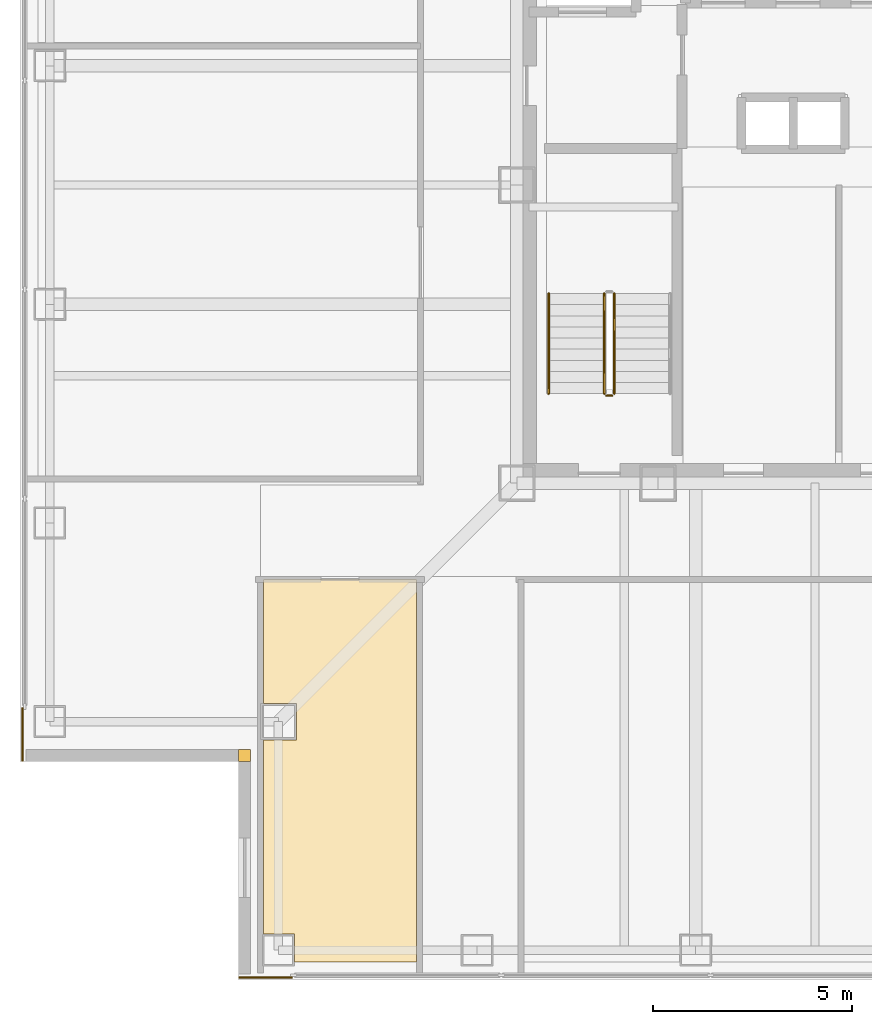
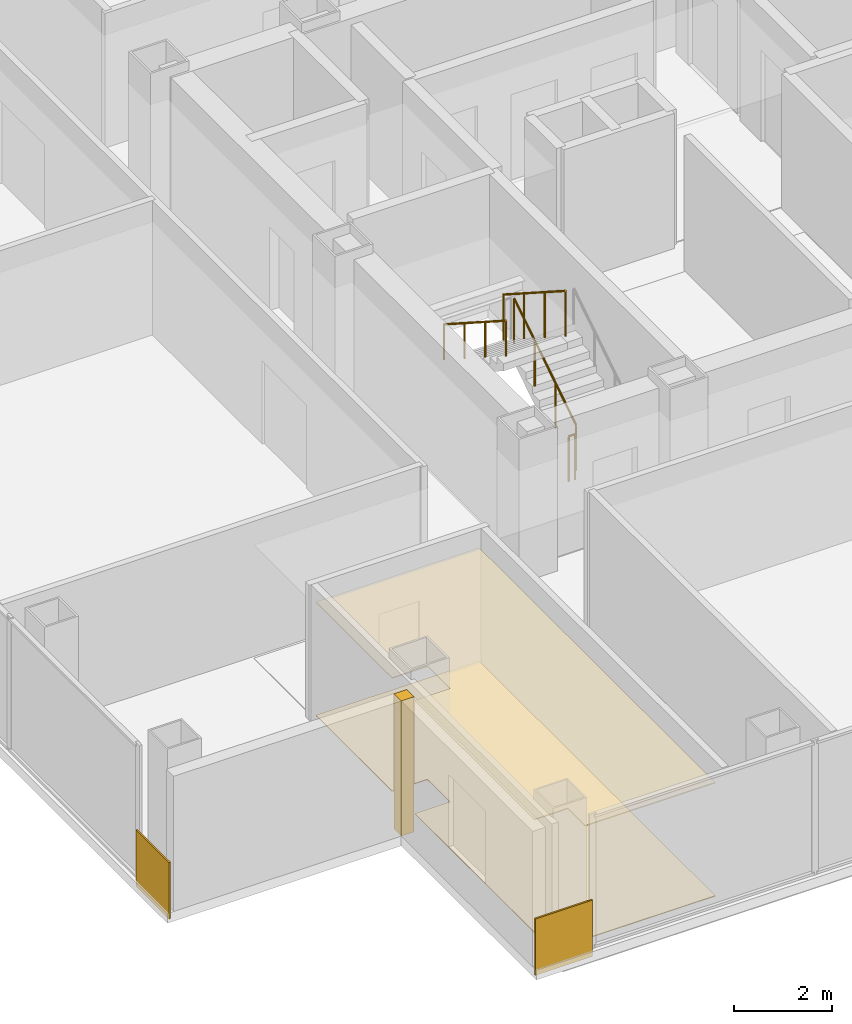
# One storey, part 12 of 17: 5 coverings, 4 railings.
"""IFC4 building model written with IfcOpenShell, lengths in metres."""

from ifc_helpers import new_model, si_unit, direction, frame, frame_2d, origin, origin_2d, place, context, subcontext, project, spatial, polyline, rectangle, circle, outline, extrude, material, layer, layer_set, type_object, element, save


model = new_model("IFC4")

# Units and contexts
model_context = context("Model", 3, precision=1e-05, world=origin(), true_north=direction((0.0, 1.0)))
body_context = subcontext(model_context, "Body", "Model", "MODEL_VIEW")
ifc_project = project(units=[si_unit("LENGTHUNIT", "METRE"), si_unit("AREAUNIT", "SQUARE_METRE"), si_unit("VOLUMEUNIT", "CUBIC_METRE"), si_unit("PLANEANGLEUNIT", "RADIAN"), si_unit("MASSUNIT", "GRAM", prefix="KILO")], contexts=[model_context])

# Site, building, storey
site_placement = place(None, origin())
site = spatial("IfcSite", under=ifc_project, at=site_placement, CompositionType="ELEMENT")
building_placement = place(site_placement, origin())
building = spatial("IfcBuilding", under=site, at=building_placement, Name="Trevonay Congress Spire", CompositionType="ELEMENT")
storey_placement = place(building_placement, frame((0.0, 0.0, 187.800048828125)))
storey = spatial("IfcBuildingStorey", under=building, at=storey_placement, Name="L48", CompositionType="ELEMENT", Elevation=187.800048828125)

# Coverings
ifc_material_1 = material(Name="Acoustic Mineral Fibre Board", Category="gypsum")
ifc_layer_1 = layer(ifc_material_1, 0.02490234375, Name="Acoustic Mineral Fibre Board")
ifc_layer_set_1 = layer_set([ifc_layer_1], Name="Acoustic Mineral Fibre Board")
covering_type_1 = type_object("IfcCoveringType", Name="COV-CEIL-ACOUSTIC", PredefinedType="CEILING", material=ifc_layer_set_1)
covering_1_placement = place(storey_placement, frame((0.0, 0.0, 2.81005859375)))
element("IfcCovering", 1, at=covering_1_placement, inside=storey, type_object=covering_type_1, Name="L48 Tribunal Judges Deliberation Room acoustic suspended ceiling", PredefinedType="CEILING", context=body_context, shape_type="SweptSolid", body=[
    extrude(outline(polyline([(-13.8701171875, -9.929931640625), (-10.030029296875, -9.929931640625), (-10.030029296875, -19.550048828125), (-13.090087890625, -19.550048828125), (-13.090087890625, -18.840087890625), (-13.8701171875, -18.840087890625), (-13.8701171875, -13.9599609375), (-13.0400390625, -13.9599609375), (-13.0400390625, -13.0400390625), (-13.8701171875, -13.0400390625), (-13.8701171875, -9.929931640625)])), origin(), (0.0, 0.0, 1.0), 0.02490234375),
])
ifc_material_2 = material(Name="Engineered Oak Flooring", Category="wood")
ifc_layer_2 = layer(ifc_material_2, 0.01806640625, Name="Engineered Oak Flooring")
ifc_layer_set_2 = layer_set([ifc_layer_2], Name="Engineered Oak Flooring")
covering_type_2 = type_object("IfcCoveringType", Name="COV-FLOOR-TIMBER", PredefinedType="FLOORING", material=ifc_layer_set_2)
covering_2_placement = place(storey_placement, origin())
element("IfcCovering", 2, at=covering_2_placement, inside=storey, type_object=covering_type_2, Name="L48 Tribunal Judges Deliberation Room floor finish", PredefinedType="FLOORING", context=body_context, shape_type="SweptSolid", body=[
    extrude(outline(polyline([(-13.8701171875, -9.929931640625), (-10.030029296875, -9.929931640625), (-10.030029296875, -19.550048828125), (-13.090087890625, -19.550048828125), (-13.090087890625, -18.840087890625), (-13.8701171875, -18.840087890625), (-13.8701171875, -13.9599609375), (-13.0400390625, -13.9599609375), (-13.0400390625, -13.0400390625), (-13.8701171875, -13.0400390625), (-13.8701171875, -9.929931640625)])), origin(), (0.0, 0.0, 1.0), 0.01806640625),
])
ifc_material_3 = material(Name="Pale Anodised Aluminium EN AW-6063-T6", Category="aluminium")
ifc_layer_3 = layer(ifc_material_3, 0.0400390625, Name="Pale Anodised Aluminium EN AW-6063-T6")
ifc_layer_set_3 = layer_set([ifc_layer_3], Name="Pale Anodised Aluminium EN AW-6063-T6")
covering_type_3 = type_object("IfcCoveringType", Name="COV-SPANDREL-PALE-METAL", PredefinedType="CLADDING", material=ifc_layer_set_3)
covering_3_placement = place(storey_placement, origin())
element("IfcCovering", 3, at=covering_3_placement, inside=storey, type_object=covering_type_3, Name="L48 SW re-entrant notch corner closure trim", PredefinedType="CLADDING", context=body_context, shape_type="SweptSolid", body=[
    extrude(outline(polyline([(-14.5, -14.5), (-14.199951171875, -14.5), (-14.199951171875, -14.199951171875), (-14.5, -14.199951171875), (-14.5, -14.5)])), origin(), (0.0, 0.0, 1.0), 3.35986328125),
])
for number, where, z_axis, x_axis, name in (
    (4, (-19.93994140625, -13.14990234375, -0.150146484375), (0.0, 0.0, 1.0), (0.0, -1.0, 0.0), "L48 SW corner pier spandrel cladding 1"),
    (5, (-13.14990234375, -19.93994140625, -0.150146484375), (0.0, 0.0, 1.0), (-1.0, 0.0, 0.0), "L48 SW corner pier spandrel cladding 2"),
):
    element("IfcCovering", number, at=place(storey_placement, frame(where, z_axis=z_axis, x_axis=x_axis)), inside=storey, type_object=covering_type_3, Name=name, PredefinedType="CLADDING", context=body_context, shape_type="SweptSolid", body=[
        extrude(rectangle(XDim=1.35009765625, YDim=0.0400390625, at=frame_2d((0.675048828125, 0.0))), origin(), (0.0, 0.0, 1.0), 1.400146484375),
    ])

# Railings
railing_type_1 = type_object("IfcRailingType", Name="RAL-STAIR-GUARD-110", PredefinedType="GUARDRAIL", material=ifc_material_3)
railing_1_placement = place(storey_placement, frame((-5.050048828125, -5.25, 0.179931640625)))
element("IfcRailing", 6, at=railing_1_placement, inside=storey, type_object=railing_type_1, Name="L48 ST-1 stair guard 1", PredefinedType="GUARDRAIL", context=body_context, shape_type="SweptSolid", body=[
    extrude(circle(Radius=0.02392578125, at=origin_2d()), frame((0.0, 0.0, 1.1259765625), z_axis=(0.0, 0.841162588446, 0.540782303519), x_axis=(-1.0, 0.0, 0.0)), (0.0, 0.0, 1.0), 2.995849609375),
    extrude(circle(Radius=0.02099609375, at=origin_2d()), origin(), (0.0, 0.0, 1.0), 1.101806640625),
    extrude(circle(Radius=0.02099609375, at=origin_2d()), frame((0.0, 0.840087890625, 0.5400390625)), (0.0, 0.0, 1.0), 1.101806640625),
    extrude(circle(Radius=0.02099609375, at=origin_2d()), frame((0.0, 1.679931640625, 1.080078125)), (0.0, 0.0, 1.0), 1.101806640625),
    extrude(circle(Radius=0.02099609375, at=origin_2d()), frame((0.0, 2.52001953125, 1.6201171875)), (0.0, 0.0, 1.0), 1.101806640625),
])
railing_2_placement = place(storey_placement, frame((-5.300048828125, -2.72998046875, 1.97998046875)))
element("IfcRailing", 7, at=railing_2_placement, inside=storey, type_object=railing_type_1, Name="L48 ST-1 stair guard 3", PredefinedType="GUARDRAIL", context=body_context, shape_type="SweptSolid", body=[
    extrude(circle(Radius=0.02392578125, at=origin_2d()), frame((0.0, 0.0, 1.1259765625), z_axis=(0.0, -0.841199657755, 0.540724639528), x_axis=(1.0, 0.0, 0.0)), (0.0, 0.0, 1.0), 2.995849609375),
    extrude(circle(Radius=0.02099609375, at=origin_2d()), origin(), (0.0, 0.0, 1.0), 1.101806640625),
    extrude(circle(Radius=0.02099609375, at=origin_2d()), frame((0.0, -0.840087890625, 0.5400390625)), (0.0, 0.0, 1.0), 1.101806640625),
    extrude(circle(Radius=0.02099609375, at=origin_2d()), frame((0.0, -1.679931640625, 1.079833984375)), (0.0, 0.0, 1.0), 1.101806640625),
    extrude(circle(Radius=0.02099609375, at=origin_2d()), frame((0.0, -2.52001953125, 1.619873046875)), (0.0, 0.0, 1.0), 1.101806640625),
])
railing_3_placement = place(storey_placement, frame((-5.10009765625, -5.300048828125, 0.0)))
element("IfcRailing", 8, at=railing_3_placement, inside=storey, type_object=railing_type_1, Name="L48 ST-1 stair guard 4", PredefinedType="GUARDRAIL", context=body_context, shape_type="SweptSolid", body=[
    extrude(circle(Radius=0.02392578125, at=origin_2d()), frame((0.0, 0.0, 1.1259765625), z_axis=(-1.0, 0.0, 0.0), x_axis=(0.0, -1.0, 0.0)), (0.0, 0.0, 1.0), 0.14990234375),
    extrude(circle(Radius=0.02099609375, at=origin_2d()), origin(), (0.0, 0.0, 1.0), 1.101806640625),
    extrude(circle(Radius=0.02099609375, at=origin_2d()), frame((-0.14990234375, 0.0, 0.0)), (0.0, 0.0, 1.0), 1.101806640625),
])
railing_type_2 = type_object("IfcRailingType", Name="RAL-STAIR-HANDRAIL", PredefinedType="HANDRAIL", material=ifc_material_3)
railing_4_placement = place(storey_placement, frame((-6.699951171875, -2.72998046875, 1.97998046875)))
element("IfcRailing", 9, at=railing_4_placement, inside=storey, type_object=railing_type_2, Name="L48 ST-1 stair handrail 2", PredefinedType="HANDRAIL", context=body_context, shape_type="SweptSolid", body=[
    extrude(circle(Radius=0.02392578125, at=origin_2d()), frame((0.0, 0.0, 0.8759765625), z_axis=(0.0, -0.841199657755, 0.540724639528), x_axis=(1.0, 0.0, 0.0)), (0.0, 0.0, 1.0), 2.995849609375),
    extrude(circle(Radius=0.02099609375, at=origin_2d()), origin(), (0.0, 0.0, 1.0), 0.851806640625),
    extrude(circle(Radius=0.02099609375, at=origin_2d()), frame((0.0, -0.840087890625, 0.5400390625)), (0.0, 0.0, 1.0), 0.851806640625),
    extrude(circle(Radius=0.02099609375, at=origin_2d()), frame((0.0, -1.679931640625, 1.079833984375)), (0.0, 0.0, 1.0), 0.851806640625),
    extrude(circle(Radius=0.02099609375, at=origin_2d()), frame((0.0, -2.52001953125, 1.619873046875)), (0.0, 0.0, 1.0), 0.851806640625),
])

save(model, "model.ifc")
